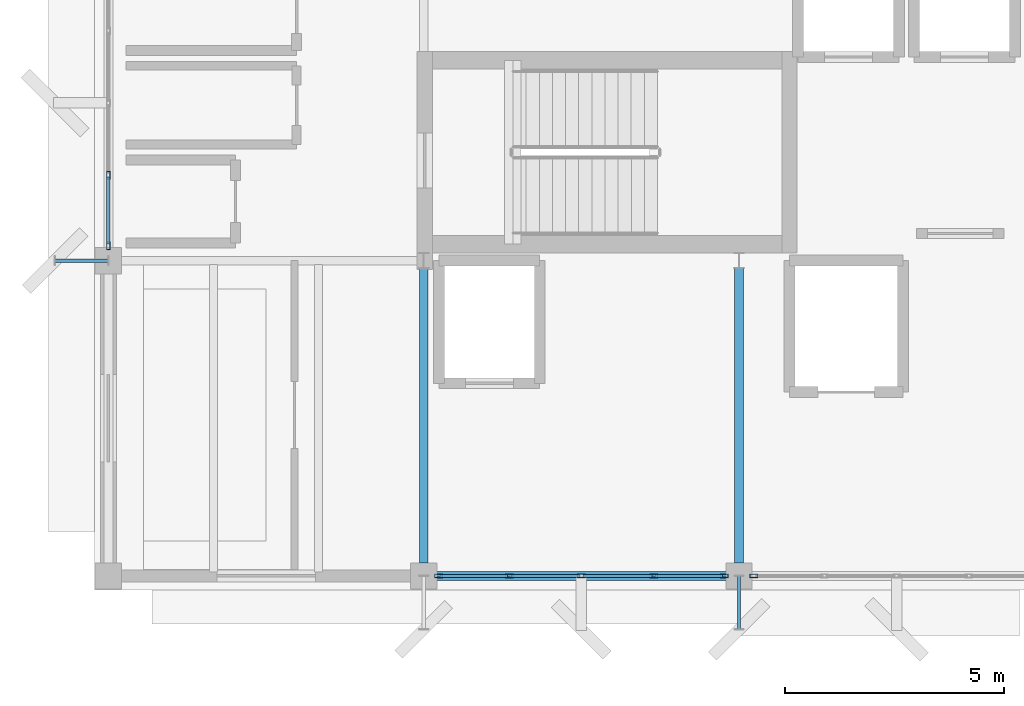
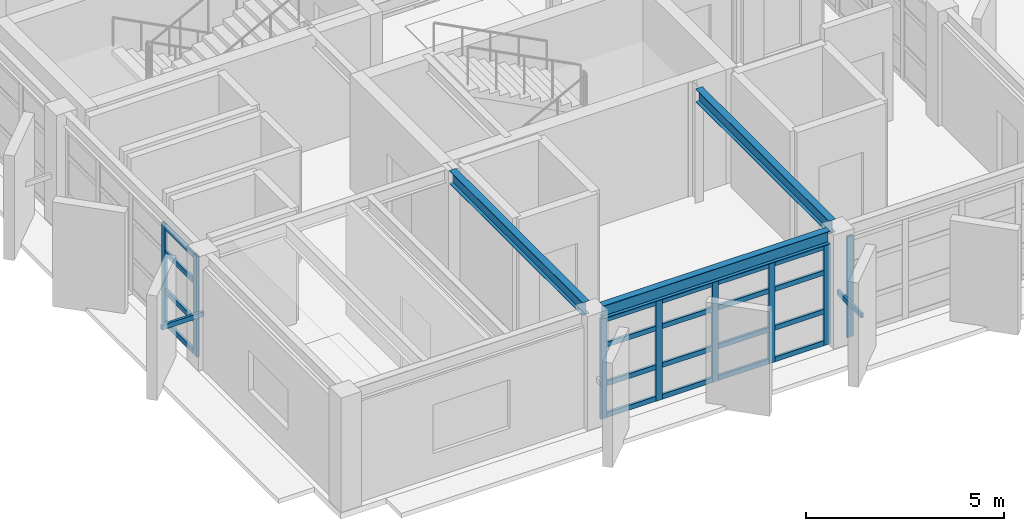
# One storey, part 2 of 13: 30 members, 3 beams, 3 elements without a shape of their own.
"""IFC4 building model written with IfcOpenShell, lengths in metres."""

from ifc_helpers import new_model, si_unit, direction, frame, origin, origin_2d, place, context, subcontext, project, spatial, hollow_rectangle, i_section, extrude, material, layer, layer_set, material_profile, profile_set, type_object, element, aggregate, save


model = new_model("IFC4")

# Units and contexts
model_context = context("Model", 3, precision=1e-05, world=origin(), true_north=direction((0.0, 1.0)))
body_context = subcontext(model_context, "Body", "Model", "MODEL_VIEW")
ifc_project = project(units=[si_unit("LENGTHUNIT", "METRE"), si_unit("AREAUNIT", "SQUARE_METRE"), si_unit("VOLUMEUNIT", "CUBIC_METRE"), si_unit("PLANEANGLEUNIT", "RADIAN"), si_unit("MASSUNIT", "GRAM", prefix="KILO")], contexts=[model_context])

# Site, building, storey
site_placement = place(None, origin())
site = spatial("IfcSite", under=ifc_project, at=site_placement, CompositionType="ELEMENT")
building_placement = place(site_placement, origin())
building = spatial("IfcBuilding", under=site, at=building_placement, Name="Kandorven Conservatory and Botanical Research Centre", CompositionType="ELEMENT")
storey_placement = place(building_placement, frame((0.0, 0.0, 59.39990234375)))
storey = spatial("IfcBuildingStorey", under=building, at=storey_placement, Name="L15", CompositionType="ELEMENT", Elevation=59.39990234375)

# Beams
ifc_material_1 = material(Name="Steel S355 (IS 2062 E350)", Category="steel")
ifc_material_profile_1 = material_profile(ifc_material_1, i_section(OverallWidth=0.199951171875, OverallDepth=0.39990234375, WebThickness=0.008544921875, FlangeThickness=0.012939453125, at=origin_2d()))
ifc_profile_set_1 = profile_set([ifc_material_profile_1], Name="Steel S355 (IS 2062 E350)")
beam_type = type_object("IfcBeamType", Name="Beam_FG-03", PredefinedType="USERDEFINED", material=ifc_profile_set_1)
beam_placement = place(storey_placement, frame((13.489990234375, 6.0, 3.330078125), z_axis=(1.0, 0.0, 0.0), x_axis=(0.0, 1.0, 0.0)))
element("IfcBeam", 1, at=beam_placement, inside=storey, type_object=beam_type, Name="Primary girder FG-03 TWR L15", ObjectType="GIRDER", PredefinedType="USERDEFINED", context=body_context, shape_type="SweptSolid", body=[
    extrude(i_section(OverallWidth=0.199951171875, OverallDepth=0.39990234375, WebThickness=0.008544921875, FlangeThickness=0.012939453125, at=origin_2d()), origin(), (0.0, 0.0, 1.0), 6.6201171875),
])
for number, where, z_axis, x_axis, name in (
    (2, (13.199951171875, 6.2900390625, 3.330078125), (0.0, 1.0, 0.0), (-1.0, 0.0, 0.0), "Primary girder FG-03 TWR L15"),
    (3, (20.39990234375, 6.2900390625, 3.330078125), (0.0, 1.0, 0.0), (-1.0, 0.0, 0.0), "Primary girder FG-03 TWR L15"),
):
    element("IfcBeam", number, at=place(storey_placement, frame(where, z_axis=z_axis, x_axis=x_axis)), inside=storey, type_object=beam_type, Name=name, ObjectType="GIRDER", PredefinedType="USERDEFINED", context=body_context, shape_type="SweptSolid", body=[
        extrude(i_section(OverallWidth=0.199951171875, OverallDepth=0.39990234375, WebThickness=0.008544921875, FlangeThickness=0.012939453125, at=origin_2d()), origin(), (0.0, 0.0, 1.0), 6.744873046875),
    ])

# Curtain wall, members
ifc_material_2 = material(Name="Bronze anodised thermally broken aluminium", Category="aluminium")
ifc_layer = layer(ifc_material_2, 0.179931640625)
ifc_layer_set = layer_set([ifc_layer], Name="Bronze anodised thermally broken aluminium")
curtain_wall_type = type_object("IfcCurtainWallType", Name="CW_Unitised", PredefinedType="USERDEFINED", material=ifc_layer_set)
curtain_wall_1_placement = place(storey_placement, origin())
curtain_wall_1 = element("IfcCurtainWall", 4, at=curtain_wall_1_placement, inside=storey, type_object=curtain_wall_type, Name="Tower laboratory curtain wall CW-TWR-S-L15-2", ObjectType="UNITISED GLAZING", PredefinedType="USERDEFINED")
ifc_material_3 = material(Name="Bronze anodised thermally broken aluminium", Category="aluminium")
ifc_material_profile_2 = material_profile(ifc_material_3, hollow_rectangle(XDim=0.080078125, YDim=0.179931640625, WallThickness=0.006103515625, at=origin_2d()))
ifc_profile_set_2 = profile_set([ifc_material_profile_2], Name="Bronze anodised thermally broken aluminium")
member_type_1 = type_object("IfcMemberType", Name="CW_Mullion", PredefinedType="MULLION", material=ifc_profile_set_2)
member_1_placement = place(storey_placement, frame((13.5400390625, 6.0, 0.0), z_axis=(0.0, 0.0, 1.0), x_axis=(0.0, 1.0, 0.0)))
member_1 = element("IfcMember", 5, at=member_1_placement, type_object=member_type_1, Name="CW-01 mullion 1", PredefinedType="MULLION", context=body_context, shape_type="SweptSolid", body=[
    extrude(hollow_rectangle(XDim=0.080078125, YDim=0.179931640625, WallThickness=0.006103515625, at=origin_2d()), origin(), (0.0, 0.0, 1.0), 3.110107421875),
])
member_2_placement = place(storey_placement, frame((15.14990234375, 6.0, 0.0), z_axis=(0.0, 0.0, 1.0), x_axis=(0.0, 1.0, 0.0)))
member_2 = element("IfcMember", 6, at=member_2_placement, type_object=member_type_1, Name="CW-01 mullion 2", PredefinedType="MULLION", context=body_context, shape_type="SweptSolid", body=[
    extrude(hollow_rectangle(XDim=0.080078125, YDim=0.179931640625, WallThickness=0.006103515625, at=origin_2d()), origin(), (0.0, 0.0, 1.0), 3.110107421875),
])
member_3_placement = place(storey_placement, frame((16.800048828125, 6.0, 0.0), z_axis=(0.0, 0.0, 1.0), x_axis=(0.0, 1.0, 0.0)))
member_3 = element("IfcMember", 7, at=member_3_placement, type_object=member_type_1, Name="CW-01 mullion 3", PredefinedType="MULLION", context=body_context, shape_type="SweptSolid", body=[
    extrude(hollow_rectangle(XDim=0.080078125, YDim=0.179931640625, WallThickness=0.006103515625, at=origin_2d()), origin(), (0.0, 0.0, 1.0), 3.110107421875),
])
member_4_placement = place(storey_placement, frame((18.449951171875, 6.0, 0.0), z_axis=(0.0, 0.0, 1.0), x_axis=(0.0, 1.0, 0.0)))
member_4 = element("IfcMember", 8, at=member_4_placement, type_object=member_type_1, Name="CW-01 mullion 4", PredefinedType="MULLION", context=body_context, shape_type="SweptSolid", body=[
    extrude(hollow_rectangle(XDim=0.080078125, YDim=0.179931640625, WallThickness=0.006103515625, at=origin_2d()), origin(), (0.0, 0.0, 1.0), 3.110107421875),
])
member_5_placement = place(storey_placement, frame((20.06005859375, 6.0, 0.0), z_axis=(0.0, 0.0, 1.0), x_axis=(0.0, 1.0, 0.0)))
member_5 = element("IfcMember", 9, at=member_5_placement, type_object=member_type_1, Name="CW-01 mullion 5", PredefinedType="MULLION", context=body_context, shape_type="SweptSolid", body=[
    extrude(hollow_rectangle(XDim=0.080078125, YDim=0.179931640625, WallThickness=0.006103515625, at=origin_2d()), origin(), (0.0, 0.0, 1.0), 3.110107421875),
])

# Curtain wall, member
curtain_wall_2_placement = place(storey_placement, origin())
curtain_wall_2 = element("IfcCurtainWall", 10, at=curtain_wall_2_placement, inside=storey, type_object=curtain_wall_type, Name="Tower laboratory curtain wall CW-TWR-S-L15-3", ObjectType="UNITISED GLAZING", PredefinedType="USERDEFINED")
member_6_placement = place(storey_placement, frame((20.739990234375, 6.0, 0.0), z_axis=(0.0, 0.0, 1.0), x_axis=(0.0, 1.0, 0.0)))
member_6 = element("IfcMember", 11, at=member_6_placement, type_object=member_type_1, Name="CW-01 mullion 1", PredefinedType="MULLION", context=body_context, shape_type="SweptSolid", body=[
    extrude(hollow_rectangle(XDim=0.080078125, YDim=0.179931640625, WallThickness=0.006103515625, at=origin_2d()), origin(), (0.0, 0.0, 1.0), 3.110107421875),
])
aggregate(curtain_wall_2, [member_6])

# Curtain wall, members
curtain_wall_3_placement = place(storey_placement, origin())
curtain_wall_3 = element("IfcCurtainWall", 12, at=curtain_wall_3_placement, inside=storey, type_object=curtain_wall_type, Name="Tower laboratory curtain wall CW-TWR-W-L15-2", ObjectType="UNITISED GLAZING", PredefinedType="USERDEFINED")
member_7_placement = place(storey_placement, frame((6.0, 13.5400390625, 0.0), z_axis=(0.0, 0.0, 1.0), x_axis=(-1.0, 0.0, 0.0)))
member_7 = element("IfcMember", 13, at=member_7_placement, type_object=member_type_1, Name="CW-01 mullion 1", PredefinedType="MULLION", context=body_context, shape_type="SweptSolid", body=[
    extrude(hollow_rectangle(XDim=0.080078125, YDim=0.179931640625, WallThickness=0.006103515625, at=origin_2d()), origin(), (0.0, 0.0, 1.0), 3.110107421875),
])
member_8_placement = place(storey_placement, frame((6.0, 15.14990234375, 0.0), z_axis=(0.0, 0.0, 1.0), x_axis=(-1.0, 0.0, 0.0)))
member_8 = element("IfcMember", 14, at=member_8_placement, type_object=member_type_1, Name="CW-01 mullion 2", PredefinedType="MULLION", context=body_context, shape_type="SweptSolid", body=[
    extrude(hollow_rectangle(XDim=0.080078125, YDim=0.179931640625, WallThickness=0.006103515625, at=origin_2d()), origin(), (0.0, 0.0, 1.0), 3.110107421875),
])

# Member
ifc_material_4 = material(Name="Bronze anodised thermally broken aluminium", Category="aluminium")
ifc_material_profile_3 = material_profile(ifc_material_4, hollow_rectangle(XDim=0.074951171875, YDim=0.14990234375, WallThickness=0.006103515625, at=origin_2d()))
ifc_profile_set_3 = profile_set([ifc_material_profile_3], Name="Bronze anodised thermally broken aluminium")
member_type_2 = type_object("IfcMemberType", Name="CW_Transom", PredefinedType="USERDEFINED", material=ifc_profile_set_3)
member_9_placement = place(storey_placement, frame((13.580078125, 6.0, 0.0751953125), z_axis=(1.0, 0.0, 0.0), x_axis=(0.0, 1.0, 0.0)))
member_9 = element("IfcMember", 15, at=member_9_placement, type_object=member_type_2, Name="CW-01 transom 1.1", ObjectType="TRANSOM", PredefinedType="USERDEFINED", context=body_context, shape_type="SweptSolid", body=[
    extrude(hollow_rectangle(XDim=0.074951171875, YDim=0.14990234375, WallThickness=0.006103515625, at=origin_2d()), origin(), (0.0, 0.0, 1.0), 1.530029296875),
])

member_10_placement = place(storey_placement, frame((13.580078125, 6.0, 1.050048828125), z_axis=(1.0, 0.0, 0.0), x_axis=(0.0, 1.0, 0.0)))
member_10 = element("IfcMember", 16, at=member_10_placement, type_object=member_type_2, Name="CW-01 transom 1.2", ObjectType="TRANSOM", PredefinedType="USERDEFINED", context=body_context, shape_type="SweptSolid", body=[
    extrude(hollow_rectangle(XDim=0.074951171875, YDim=0.14990234375, WallThickness=0.006103515625, at=origin_2d()), origin(), (0.0, 0.0, 1.0), 1.530029296875),
])

member_11_placement = place(storey_placement, frame((13.580078125, 6.0, 2.25), z_axis=(1.0, 0.0, 0.0), x_axis=(0.0, 1.0, 0.0)))
member_11 = element("IfcMember", 17, at=member_11_placement, type_object=member_type_2, Name="CW-01 transom 1.3", ObjectType="TRANSOM", PredefinedType="USERDEFINED", context=body_context, shape_type="SweptSolid", body=[
    extrude(hollow_rectangle(XDim=0.074951171875, YDim=0.14990234375, WallThickness=0.006103515625, at=origin_2d()), origin(), (0.0, 0.0, 1.0), 1.530029296875),
])

member_12_placement = place(storey_placement, frame((13.580078125, 6.0, 3.03515625), z_axis=(1.0, 0.0, 0.0), x_axis=(0.0, 1.0, 0.0)))
member_12 = element("IfcMember", 18, at=member_12_placement, type_object=member_type_2, Name="CW-01 transom 1.4", ObjectType="TRANSOM", PredefinedType="USERDEFINED", context=body_context, shape_type="SweptSolid", body=[
    extrude(hollow_rectangle(XDim=0.074951171875, YDim=0.14990234375, WallThickness=0.006103515625, at=origin_2d()), origin(), (0.0, 0.0, 1.0), 1.530029296875),
])

member_13_placement = place(storey_placement, frame((15.18994140625, 6.0, 0.0751953125), z_axis=(1.0, 0.0, 0.0), x_axis=(0.0, 1.0, 0.0)))
member_13 = element("IfcMember", 19, at=member_13_placement, type_object=member_type_2, Name="CW-01 transom 2.1", ObjectType="TRANSOM", PredefinedType="USERDEFINED", context=body_context, shape_type="SweptSolid", body=[
    extrude(hollow_rectangle(XDim=0.074951171875, YDim=0.14990234375, WallThickness=0.006103515625, at=origin_2d()), origin(), (0.0, 0.0, 1.0), 1.570068359375),
])

member_14_placement = place(storey_placement, frame((15.18994140625, 6.0, 1.050048828125), z_axis=(1.0, 0.0, 0.0), x_axis=(0.0, 1.0, 0.0)))
member_14 = element("IfcMember", 20, at=member_14_placement, type_object=member_type_2, Name="CW-01 transom 2.2", ObjectType="TRANSOM", PredefinedType="USERDEFINED", context=body_context, shape_type="SweptSolid", body=[
    extrude(hollow_rectangle(XDim=0.074951171875, YDim=0.14990234375, WallThickness=0.006103515625, at=origin_2d()), origin(), (0.0, 0.0, 1.0), 1.570068359375),
])

member_15_placement = place(storey_placement, frame((15.18994140625, 6.0, 2.25), z_axis=(1.0, 0.0, 0.0), x_axis=(0.0, 1.0, 0.0)))
member_15 = element("IfcMember", 21, at=member_15_placement, type_object=member_type_2, Name="CW-01 transom 2.3", ObjectType="TRANSOM", PredefinedType="USERDEFINED", context=body_context, shape_type="SweptSolid", body=[
    extrude(hollow_rectangle(XDim=0.074951171875, YDim=0.14990234375, WallThickness=0.006103515625, at=origin_2d()), origin(), (0.0, 0.0, 1.0), 1.570068359375),
])

member_16_placement = place(storey_placement, frame((15.18994140625, 6.0, 3.03515625), z_axis=(1.0, 0.0, 0.0), x_axis=(0.0, 1.0, 0.0)))
member_16 = element("IfcMember", 22, at=member_16_placement, type_object=member_type_2, Name="CW-01 transom 2.4", ObjectType="TRANSOM", PredefinedType="USERDEFINED", context=body_context, shape_type="SweptSolid", body=[
    extrude(hollow_rectangle(XDim=0.074951171875, YDim=0.14990234375, WallThickness=0.006103515625, at=origin_2d()), origin(), (0.0, 0.0, 1.0), 1.570068359375),
])

member_17_placement = place(storey_placement, frame((16.840087890625, 6.0, 0.0751953125), z_axis=(1.0, 0.0, 0.0), x_axis=(0.0, 1.0, 0.0)))
member_17 = element("IfcMember", 23, at=member_17_placement, type_object=member_type_2, Name="CW-01 transom 3.1", ObjectType="TRANSOM", PredefinedType="USERDEFINED", context=body_context, shape_type="SweptSolid", body=[
    extrude(hollow_rectangle(XDim=0.074951171875, YDim=0.14990234375, WallThickness=0.006103515625, at=origin_2d()), origin(), (0.0, 0.0, 1.0), 1.56982421875),
])

member_18_placement = place(storey_placement, frame((16.840087890625, 6.0, 1.050048828125), z_axis=(1.0, 0.0, 0.0), x_axis=(0.0, 1.0, 0.0)))
member_18 = element("IfcMember", 24, at=member_18_placement, type_object=member_type_2, Name="CW-01 transom 3.2", ObjectType="TRANSOM", PredefinedType="USERDEFINED", context=body_context, shape_type="SweptSolid", body=[
    extrude(hollow_rectangle(XDim=0.074951171875, YDim=0.14990234375, WallThickness=0.006103515625, at=origin_2d()), origin(), (0.0, 0.0, 1.0), 1.56982421875),
])

member_19_placement = place(storey_placement, frame((16.840087890625, 6.0, 2.25), z_axis=(1.0, 0.0, 0.0), x_axis=(0.0, 1.0, 0.0)))
member_19 = element("IfcMember", 25, at=member_19_placement, type_object=member_type_2, Name="CW-01 transom 3.3", ObjectType="TRANSOM", PredefinedType="USERDEFINED", context=body_context, shape_type="SweptSolid", body=[
    extrude(hollow_rectangle(XDim=0.074951171875, YDim=0.14990234375, WallThickness=0.006103515625, at=origin_2d()), origin(), (0.0, 0.0, 1.0), 1.56982421875),
])

member_20_placement = place(storey_placement, frame((16.840087890625, 6.0, 3.03515625), z_axis=(1.0, 0.0, 0.0), x_axis=(0.0, 1.0, 0.0)))
member_20 = element("IfcMember", 26, at=member_20_placement, type_object=member_type_2, Name="CW-01 transom 3.4", ObjectType="TRANSOM", PredefinedType="USERDEFINED", context=body_context, shape_type="SweptSolid", body=[
    extrude(hollow_rectangle(XDim=0.074951171875, YDim=0.14990234375, WallThickness=0.006103515625, at=origin_2d()), origin(), (0.0, 0.0, 1.0), 1.56982421875),
])

member_21_placement = place(storey_placement, frame((18.489990234375, 6.0, 0.0751953125), z_axis=(1.0, 0.0, 0.0), x_axis=(0.0, 1.0, 0.0)))
member_21 = element("IfcMember", 27, at=member_21_placement, type_object=member_type_2, Name="CW-01 transom 4.1", ObjectType="TRANSOM", PredefinedType="USERDEFINED", context=body_context, shape_type="SweptSolid", body=[
    extrude(hollow_rectangle(XDim=0.074951171875, YDim=0.14990234375, WallThickness=0.006103515625, at=origin_2d()), origin(), (0.0, 0.0, 1.0), 1.530029296875),
])

member_22_placement = place(storey_placement, frame((18.489990234375, 6.0, 1.050048828125), z_axis=(1.0, 0.0, 0.0), x_axis=(0.0, 1.0, 0.0)))
member_22 = element("IfcMember", 28, at=member_22_placement, type_object=member_type_2, Name="CW-01 transom 4.2", ObjectType="TRANSOM", PredefinedType="USERDEFINED", context=body_context, shape_type="SweptSolid", body=[
    extrude(hollow_rectangle(XDim=0.074951171875, YDim=0.14990234375, WallThickness=0.006103515625, at=origin_2d()), origin(), (0.0, 0.0, 1.0), 1.530029296875),
])

member_23_placement = place(storey_placement, frame((18.489990234375, 6.0, 2.25), z_axis=(1.0, 0.0, 0.0), x_axis=(0.0, 1.0, 0.0)))
member_23 = element("IfcMember", 29, at=member_23_placement, type_object=member_type_2, Name="CW-01 transom 4.3", ObjectType="TRANSOM", PredefinedType="USERDEFINED", context=body_context, shape_type="SweptSolid", body=[
    extrude(hollow_rectangle(XDim=0.074951171875, YDim=0.14990234375, WallThickness=0.006103515625, at=origin_2d()), origin(), (0.0, 0.0, 1.0), 1.530029296875),
])

member_24_placement = place(storey_placement, frame((18.489990234375, 6.0, 3.03515625), z_axis=(1.0, 0.0, 0.0), x_axis=(0.0, 1.0, 0.0)))
member_24 = element("IfcMember", 30, at=member_24_placement, type_object=member_type_2, Name="CW-01 transom 4.4", ObjectType="TRANSOM", PredefinedType="USERDEFINED", context=body_context, shape_type="SweptSolid", body=[
    extrude(hollow_rectangle(XDim=0.074951171875, YDim=0.14990234375, WallThickness=0.006103515625, at=origin_2d()), origin(), (0.0, 0.0, 1.0), 1.530029296875),
])

aggregate(curtain_wall_1, [member_1, member_2, member_3, member_4, member_5, member_9, member_10, member_11, member_12, member_13, member_14, member_15, member_16, member_17, member_18, member_19, member_20, member_21, member_22, member_23, member_24])

member_25_placement = place(storey_placement, frame((6.0, 13.580078125, 0.0751953125), z_axis=(0.0, 1.0, 0.0), x_axis=(-1.0, 0.0, 0.0)))
member_25 = element("IfcMember", 31, at=member_25_placement, type_object=member_type_2, Name="CW-01 transom 1.1", ObjectType="TRANSOM", PredefinedType="USERDEFINED", context=body_context, shape_type="SweptSolid", body=[
    extrude(hollow_rectangle(XDim=0.074951171875, YDim=0.14990234375, WallThickness=0.006103515625, at=origin_2d()), origin(), (0.0, 0.0, 1.0), 1.530029296875),
])

member_26_placement = place(storey_placement, frame((6.0, 13.580078125, 1.050048828125), z_axis=(0.0, 1.0, 0.0), x_axis=(-1.0, 0.0, 0.0)))
member_26 = element("IfcMember", 32, at=member_26_placement, type_object=member_type_2, Name="CW-01 transom 1.2", ObjectType="TRANSOM", PredefinedType="USERDEFINED", context=body_context, shape_type="SweptSolid", body=[
    extrude(hollow_rectangle(XDim=0.074951171875, YDim=0.14990234375, WallThickness=0.006103515625, at=origin_2d()), origin(), (0.0, 0.0, 1.0), 1.530029296875),
])

member_27_placement = place(storey_placement, frame((6.0, 13.580078125, 2.25), z_axis=(0.0, 1.0, 0.0), x_axis=(-1.0, 0.0, 0.0)))
member_27 = element("IfcMember", 33, at=member_27_placement, type_object=member_type_2, Name="CW-01 transom 1.3", ObjectType="TRANSOM", PredefinedType="USERDEFINED", context=body_context, shape_type="SweptSolid", body=[
    extrude(hollow_rectangle(XDim=0.074951171875, YDim=0.14990234375, WallThickness=0.006103515625, at=origin_2d()), origin(), (0.0, 0.0, 1.0), 1.530029296875),
])

member_28_placement = place(storey_placement, frame((6.0, 13.580078125, 3.03515625), z_axis=(0.0, 1.0, 0.0), x_axis=(-1.0, 0.0, 0.0)))
member_28 = element("IfcMember", 34, at=member_28_placement, type_object=member_type_2, Name="CW-01 transom 1.4", ObjectType="TRANSOM", PredefinedType="USERDEFINED", context=body_context, shape_type="SweptSolid", body=[
    extrude(hollow_rectangle(XDim=0.074951171875, YDim=0.14990234375, WallThickness=0.006103515625, at=origin_2d()), origin(), (0.0, 0.0, 1.0), 1.530029296875),
])

aggregate(curtain_wall_3, [member_7, member_8, member_25, member_26, member_27, member_28])

# Members
ifc_material_5 = material(Name="Steel S355 (IS 2062 E350)", Category="steel")
ifc_material_profile_4 = material_profile(ifc_material_5, hollow_rectangle(XDim=0.074951171875, YDim=0.14990234375, WallThickness=0.006103515625, at=origin_2d()))
ifc_profile_set_4 = profile_set([ifc_material_profile_4], Name="Steel S355 (IS 2062 E350)")
member_type_3 = type_object("IfcMemberType", Name="Mem_SF-01", PredefinedType="STRUT", material=ifc_profile_set_4)
for number, where, z_axis, x_axis, name in (
    (35, (20.39990234375, 6.0, 1.5), (0.0, -1.0, 0.0), (1.0, 0.0, 0.0), "Solar fin steel outrigger strut SF-01 #135"),
    (36, (6.0, 13.199951171875, 1.5), (-1.0, 0.0, 0.0), (0.0, -1.0, 0.0), "Solar fin steel outrigger strut SF-01 #137"),
):
    element("IfcMember", number, at=place(storey_placement, frame(where, z_axis=z_axis, x_axis=x_axis)), inside=storey, type_object=member_type_3, Name=name, PredefinedType="STRUT", context=body_context, shape_type="SweptSolid", body=[
        extrude(hollow_rectangle(XDim=0.074951171875, YDim=0.14990234375, WallThickness=0.006103515625, at=origin_2d()), origin(), (0.0, 0.0, 1.0), 1.219970703125),
    ])

save(model, "model.ifc")
